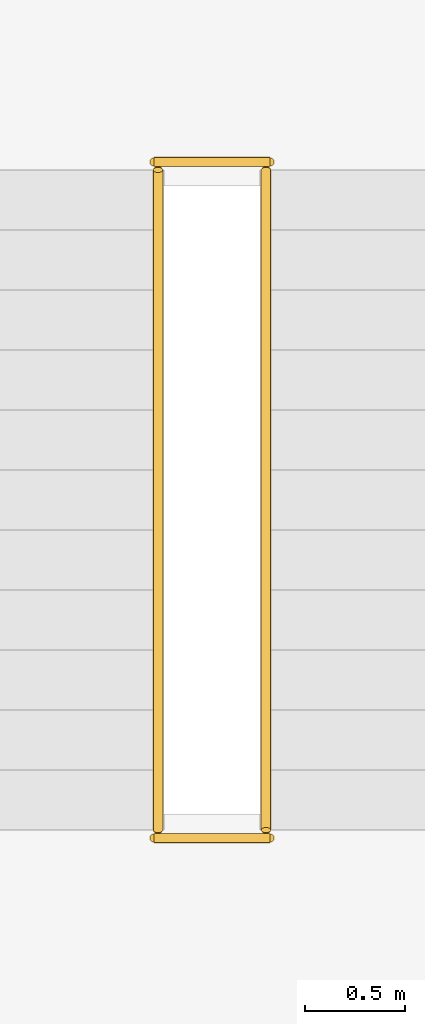
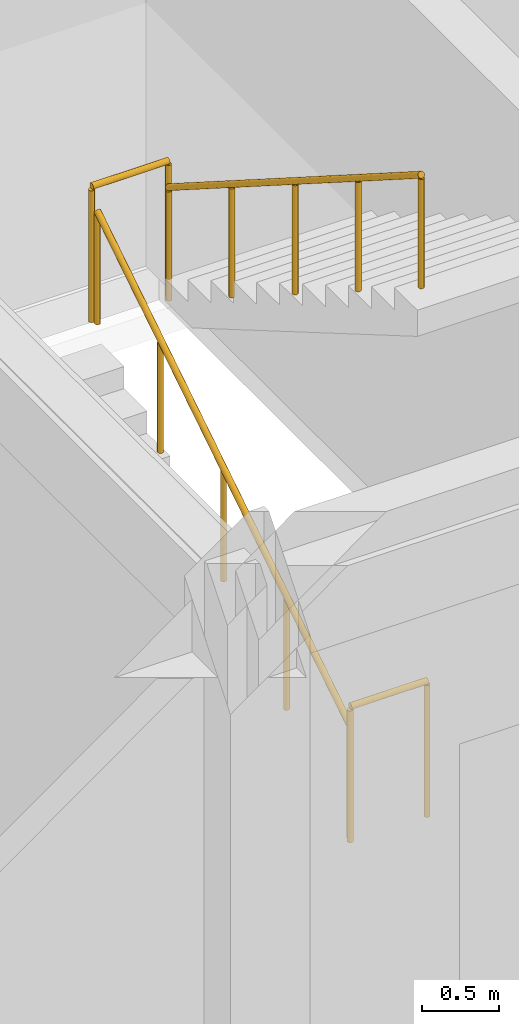
# One storey, part 48 of 50: 4 railings.
"""IFC4 building model written with IfcOpenShell, lengths in metres."""

import ifcopenshell
import ifcopenshell.guid

model = None  # the IFC model being written
_history = None  # IfcOwnerHistory: only IFC2X3 demands one
_inside = {}  # id of a spatial element -> (the spatial element, [elements in it])
_under = {}  # id of a project, library or spatial element -> (it, [spatial elements below it])
_declared = {}  # id of a project -> (the project, [libraries it declares])
_typed = {}  # id of a type object -> (the type object, [elements of that type])
_made_of = {}  # id of a material, layer set ... -> (it, [elements and type objects made of it])


def new_model(schema):
    """Start an empty IFC model of exactly this schema.

    Asked for "IFC4X3", IfcOpenShell would pick the latest addendum, in which some entities
    have other attributes; the version numbers below select the first issue.
    IFC2X3 requires an IfcOwnerHistory on every rooted entity: one is made here for all.
    """
    global model, _history
    if schema == "IFC4X3":
        model = ifcopenshell.file(schema_version=(4, 3, 0, 0))
    else:
        model = ifcopenshell.file(schema=schema)
    _inside.clear()
    _under.clear()
    _declared.clear()
    _typed.clear()
    _made_of.clear()
    _history = None
    if model.schema == "IFC2X3":
        org = make("IfcOrganization", Name="unknown")
        user = make(
            "IfcPersonAndOrganization",
            ThePerson=make("IfcPerson", FamilyName="unknown"),
            TheOrganization=org,
        )
        app = make(
            "IfcApplication",
            ApplicationDeveloper=org,
            Version="unknown",
            ApplicationFullName="unknown",
            ApplicationIdentifier="unknown",
        )
        _history = make(
            "IfcOwnerHistory",
            OwningUser=user,
            OwningApplication=app,
            ChangeAction="ADDED",
            CreationDate=0,
        )
    return model


def make(cls, **values):
    """One entity of the class cls with the attributes given. An attribute that is None is left unset."""
    return model.create_entity(
        cls, **{name: value for name, value in values.items() if value is not None}
    )


def rooted(cls, **values):
    """An entity with a GlobalId (a new one), such as an element, a storey or a relation."""
    return make(cls, GlobalId=ifcopenshell.guid.new(), OwnerHistory=_history, **values)


def si_unit(unit_type, name, prefix=None):
    """IfcSIUnit, for example si_unit("LENGTHUNIT", "METRE", prefix="MILLI")."""
    return make("IfcSIUnit", UnitType=unit_type, Prefix=prefix, Name=name)


def assignment(units):
    """IfcUnitAssignment: the units of a project."""
    return None if units is None else make("IfcUnitAssignment", Units=units)


def point(xyz):
    """IfcCartesianPoint."""
    return None if xyz is None else make("IfcCartesianPoint", Coordinates=xyz)


def direction(xyz):
    """IfcDirection."""
    return None if xyz is None else make("IfcDirection", DirectionRatios=xyz)


def frame(location, z_axis=None, x_axis=None):
    """IfcAxis2Placement3D, a coordinate frame: its origin and axes. An axis left out is left unset."""
    return make(
        "IfcAxis2Placement3D",
        Location=point(location),
        Axis=direction(z_axis),
        RefDirection=direction(x_axis),
    )


def frame_2d(location, x_axis=None):
    """IfcAxis2Placement2D, a coordinate frame in the plane: its origin and x axis."""
    return make(
        "IfcAxis2Placement2D", Location=point(location), RefDirection=direction(x_axis)
    )


def origin():
    """The frame at (0, 0, 0) with its axes left unset."""
    return frame((0.0, 0.0, 0.0))


def origin_2d():
    """The frame at (0, 0) in the plane with its x axis left unset."""
    return frame_2d((0.0, 0.0))


def place(relative_to, where):
    """IfcLocalPlacement: puts the frame where relative to a parent placement (None: the world)."""
    return make(
        "IfcLocalPlacement", PlacementRelTo=relative_to, RelativePlacement=where
    )


def context(
    kind, dimensions, precision=None, world=None, true_north=None, identifier=None
):
    """IfcGeometricRepresentationContext, for example the 3D "Model" context."""
    return make(
        "IfcGeometricRepresentationContext",
        ContextIdentifier=identifier,
        ContextType=kind,
        CoordinateSpaceDimension=dimensions,
        Precision=precision,
        WorldCoordinateSystem=world,
        TrueNorth=true_north,
    )


def subcontext(parent, identifier, kind, view, scale=None):
    """IfcGeometricRepresentationSubContext, for example "Body" below "Model"."""
    return make(
        "IfcGeometricRepresentationSubContext",
        ContextIdentifier=identifier,
        ContextType=kind,
        ParentContext=parent,
        TargetScale=scale,
        TargetView=view,
    )


def project(units=None, contexts=None):
    """IfcProject with its units and contexts."""
    return rooted(
        "IfcProject",
        Name="project",
        RepresentationContexts=contexts,
        UnitsInContext=assignment(units),
    )


def spatial(cls, under=None, at=None, **own):
    """A site, building, storey or space (cls), placed at a placement, below another one or the project."""
    s = rooted(cls, ObjectPlacement=at, **own)
    if under is not None:
        _under.setdefault(under.id(), (under, []))[1].append(s)
    return s


def profile(cls, at=None, kind="AREA", **sizes):
    """A parametric profile (cls). Its sizes go by their IFC names, for example OverallWidth=200.0."""
    return make(cls, ProfileType=kind, Position=at, **sizes)


def circle(**sizes):
    """IfcCircleProfileDef."""
    return profile("IfcCircleProfileDef", **sizes)


def hollow_circle(**sizes):
    """IfcCircleHollowProfileDef."""
    return profile("IfcCircleHollowProfileDef", **sizes)


def extrude(swept, where, along, depth):
    """IfcExtrudedAreaSolid: the profile swept, set in the frame where, extruded along a direction by depth."""
    return make(
        "IfcExtrudedAreaSolid",
        SweptArea=swept,
        Position=where,
        ExtrudedDirection=direction(along),
        Depth=depth,
    )


def shape(context_of_items, identifier, shape_type, items):
    """IfcShapeRepresentation: the items that make up one representation, for example the "Body"."""
    return make(
        "IfcShapeRepresentation",
        ContextOfItems=context_of_items,
        RepresentationIdentifier=identifier,
        RepresentationType=shape_type,
        Items=items,
    )


def material(Name=None, Category=None):
    """IfcMaterial."""
    return make("IfcMaterial", Name=Name, Category=Category)


def material_profile(
    of_material, cross_section, Name=None, Category=None, Priority=None
):
    """IfcMaterialProfile: a cross section and its material."""
    return make(
        "IfcMaterialProfile",
        Name=Name,
        Material=of_material,
        Profile=cross_section,
        Priority=Priority,
        Category=Category,
    )


def profile_set(profiles, Name=None, composite=None):
    """IfcMaterialProfileSet."""
    return make(
        "IfcMaterialProfileSet",
        Name=Name,
        MaterialProfiles=profiles,
        CompositeProfile=composite,
    )


def made_of(thing, what):
    """Note that an element or type object is made of a material, layer set ...; save() writes the relation."""
    if what is not None:
        _made_of.setdefault(what.id(), (what, []))[1].append(thing)
    return thing


def type_object(cls, material=None, **own):
    """A type object (cls), such as IfcWallType, which elements share."""
    return made_of(rooted(cls, **own), material)


def element(
    cls,
    number,
    at=None,
    inside=None,
    cuts=None,
    type_object=None,
    material=None,
    context=None,
    identifier="Body",
    shape_type=None,
    held_by="IfcProductDefinitionShape",
    body=None,
    shapes=None,
    **own,
):
    """One element of the class cls, such as IfcWall. Its Tag is "e" and its number.

    at: its placement. inside: the storey or other place that contains it. cuts: it is an
    opening in that element (IfcRelVoidsElement). A single representation is given by context,
    identifier, shape_type and body (its items); several are given by shapes. held_by: the class
    of the entity that holds the representations. save() writes the other relations.
    """
    e = rooted(cls, Tag="e%d" % number, ObjectPlacement=at, **own)
    if body is not None:
        shapes = [shape(context, identifier, shape_type, body)]
    if shapes is not None:
        e.Representation = make(held_by, Representations=shapes)
    if inside is not None:
        _inside.setdefault(inside.id(), (inside, []))[1].append(e)
    if cuts is not None:
        rooted(
            "IfcRelVoidsElement", RelatingBuildingElement=cuts, RelatedOpeningElement=e
        )
    if type_object is not None:
        _typed.setdefault(type_object.id(), (type_object, []))[1].append(e)
    return made_of(e, material)


def aggregate(whole, parts):
    """IfcRelAggregates: a whole, such as a stair, and the parts it consists of."""
    return rooted("IfcRelAggregates", RelatingObject=whole, RelatedObjects=parts)


def save(model, path):
    """Write the relations noted so far, then the file.

    IfcRelAggregates (storeys below a building ...), IfcRelContainedInSpatialStructure (elements
    in a storey), IfcRelDefinesByType, IfcRelAssociatesMaterial and IfcRelDeclares: one each for
    every whole, place, type object, material and project.
    """
    for whole, parts in _under.values():
        aggregate(whole, parts)
    for where, things in _inside.values():
        rooted(
            "IfcRelContainedInSpatialStructure",
            RelatedElements=things,
            RelatingStructure=where,
        )
    for kind, things in _typed.values():
        rooted("IfcRelDefinesByType", RelatedObjects=things, RelatingType=kind)
    for what, things in _made_of.values():
        rooted("IfcRelAssociatesMaterial", RelatedObjects=things, RelatingMaterial=what)
    for by, libraries in _declared.values():
        rooted("IfcRelDeclares", RelatingContext=by, RelatedDefinitions=libraries)
    model.write(path)


model = new_model("IFC4")

# Units and contexts
model_context = context("Model", 3, precision=1e-05, world=origin(), true_north=direction((0.0, 1.0)))
body_context = subcontext(model_context, "Body", "Model", "MODEL_VIEW")
ifc_project = project(units=[si_unit("LENGTHUNIT", "METRE"), si_unit("AREAUNIT", "SQUARE_METRE"), si_unit("VOLUMEUNIT", "CUBIC_METRE"), si_unit("PLANEANGLEUNIT", "RADIAN"), si_unit("MASSUNIT", "GRAM", prefix="KILO")], contexts=[model_context])

# Site, building, storey
site_placement = place(None, origin())
site = spatial("IfcSite", under=ifc_project, at=site_placement, CompositionType="ELEMENT")
building_placement = place(site_placement, origin())
building = spatial("IfcBuilding", under=site, at=building_placement, Name="Zizhar Promenade General Hospital", CompositionType="ELEMENT")
storey_placement = place(building_placement, frame((0.0, 0.0, 30.60009765625)))
storey = spatial("IfcBuildingStorey", under=building, at=storey_placement, Name="L07", CompositionType="ELEMENT", Elevation=30.60009765625)

# Railings
ifc_material_1 = material(Name="Anodised aluminium 6063-T6", Category="aluminium")
ifc_material_profile_1 = material_profile(ifc_material_1, hollow_circle(Radius=0.06982421875, WallThickness=0.00634765625, at=origin_2d()))
ifc_profile_set_1 = profile_set([ifc_material_profile_1], Name="Anodised aluminium 6063-T6")
railing_type_1 = type_object("IfcRailingType", Name="RL-HANDRAIL-920", PredefinedType="HANDRAIL", material=ifc_profile_set_1)
railing_1_placement = place(storey_placement, frame((79.89990234375, 10.35009765625, 0.0)))
element("IfcRailing", 1, at=railing_1_placement, inside=storey, type_object=railing_type_1, Name="Stair ST-04 Flight 1 Handrail (L07)", PredefinedType="HANDRAIL", context=body_context, shape_type="SweptSolid", body=[
    extrude(circle(Radius=0.02392578125, at=origin_2d()), frame((0.0, 0.0, 0.89599609375), z_axis=(0.0, 0.843664057944, 0.536871453268), x_axis=(-1.0, 0.0, 0.0)), (0.0, 0.0, 1.0), 3.911376953125),
    extrude(circle(Radius=0.02099609375, at=origin_2d()), origin(), (0.0, 0.0, 1.0), 0.871826171875),
    extrude(circle(Radius=0.02099609375, at=origin_2d()), frame((0.0, 0.824951171875, 0.52490234375)), (0.0, 0.0, 1.0), 0.871826171875),
    extrude(circle(Radius=0.02099609375, at=origin_2d()), frame((0.0, 1.64990234375, 1.0498046875)), (0.0, 0.0, 1.0), 0.871826171875),
    extrude(circle(Radius=0.02099609375, at=origin_2d()), frame((0.0, 2.474853515625, 1.574951171875)), (0.0, 0.0, 1.0), 0.871826171875),
    extrude(circle(Radius=0.02099609375, at=origin_2d()), frame((0.0, 3.2998046875, 2.099853515625)), (0.0, 0.0, 1.0), 0.871826171875),
])
railing_2_placement = place(storey_placement, frame((80.43994140625, 13.64990234375, 2.099853515625)))
element("IfcRailing", 2, at=railing_2_placement, inside=storey, type_object=railing_type_1, Name="Stair ST-04 Flight 2 Handrail (L07)", PredefinedType="HANDRAIL", context=body_context, shape_type="SweptSolid", body=[
    extrude(circle(Radius=0.02392578125, at=origin_2d()), frame((0.0, 0.0, 0.89599609375), z_axis=(0.0, -0.843635785416, 0.536915879413), x_axis=(1.0, 0.0, 0.0)), (0.0, 0.0, 1.0), 3.911376953125),
    extrude(circle(Radius=0.02099609375, at=origin_2d()), origin(), (0.0, 0.0, 1.0), 0.871826171875),
    extrude(circle(Radius=0.02099609375, at=origin_2d()), frame((0.0, -0.824951171875, 0.52490234375)), (0.0, 0.0, 1.0), 0.871826171875),
    extrude(circle(Radius=0.02099609375, at=origin_2d()), frame((0.0, -1.64990234375, 1.050048828125)), (0.0, 0.0, 1.0), 0.871826171875),
    extrude(circle(Radius=0.02099609375, at=origin_2d()), frame((0.0, -2.474853515625, 1.5751953125)), (0.0, 0.0, 1.0), 0.871826171875),
    extrude(circle(Radius=0.02099609375, at=origin_2d()), frame((0.0, -3.2998046875, 2.10009765625)), (0.0, 0.0, 1.0), 0.871826171875),
])
ifc_material_2 = material(Name="Steel S355", Category="steel")
ifc_material_profile_2 = material_profile(ifc_material_2, hollow_circle(Radius=0.06982421875, WallThickness=0.00634765625, at=origin_2d()))
ifc_profile_set_2 = profile_set([ifc_material_profile_2], Name="Steel S355")
railing_type_2 = type_object("IfcRailingType", Name="RL-STAIR-GUARD-1100", PredefinedType="GUARDRAIL", material=ifc_profile_set_2)
for number, where, name in (
    (3, (79.8798828125, 13.68994140625, 2.099853515625), "Stair ST-04 Half-Landing Guard (L07)"),
    (4, (79.8798828125, 10.31005859375, 0.0), "Stair ST-04 Landing Well Guard (L07)"),
):
    element("IfcRailing", number, at=place(storey_placement, frame(where)), inside=storey, type_object=railing_type_2, Name=name, PredefinedType="GUARDRAIL", context=body_context, shape_type="SweptSolid", body=[
        extrude(circle(Radius=0.02392578125, at=origin_2d()), frame((0.0, 0.0, 1.076171875), z_axis=(1.0, 0.0, 0.0), x_axis=(0.0, 1.0, 0.0)), (0.0, 0.0, 1.0), 0.580078125),
        extrude(circle(Radius=0.02099609375, at=origin_2d()), origin(), (0.0, 0.0, 1.0), 1.052001953125),
        extrude(circle(Radius=0.02099609375, at=origin_2d()), frame((0.580078125, 0.0, 0.0)), (0.0, 0.0, 1.0), 1.052001953125),
    ])

save(model, "model.ifc")
